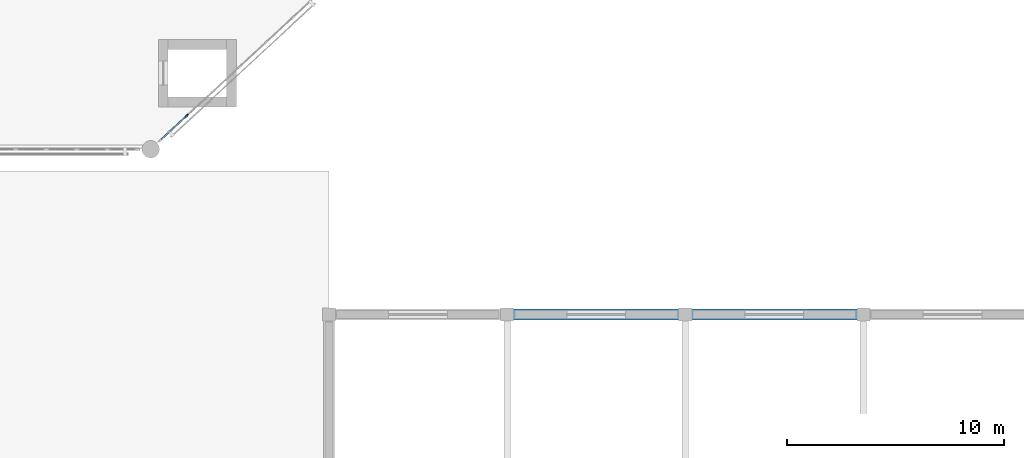
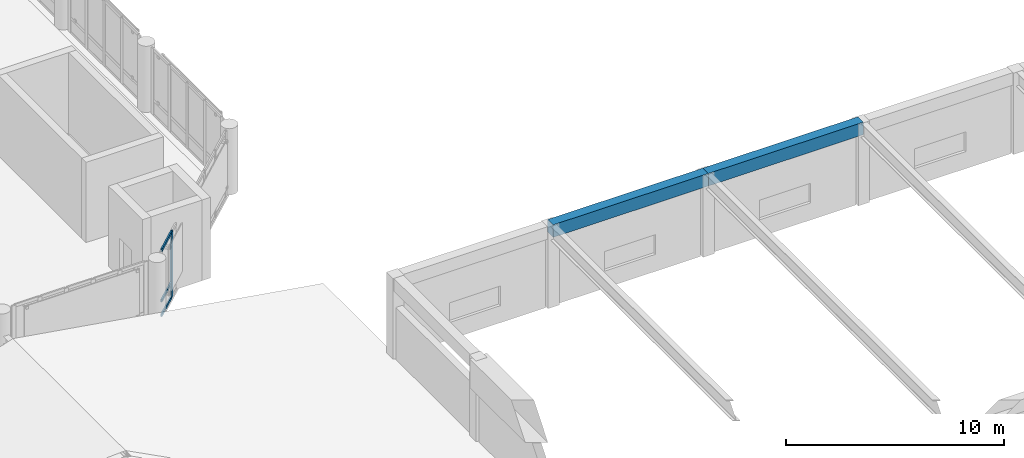
# One storey, part 4 of 49: 4 members, 2 beams, 1 element without a shape of its own.
"""IFC4 building model written with IfcOpenShell, lengths in metres."""

import ifcopenshell
import ifcopenshell.guid

model = None  # the IFC model being written
_history = None  # IfcOwnerHistory: only IFC2X3 demands one
_inside = {}  # id of a spatial element -> (the spatial element, [elements in it])
_under = {}  # id of a project, library or spatial element -> (it, [spatial elements below it])
_declared = {}  # id of a project -> (the project, [libraries it declares])
_typed = {}  # id of a type object -> (the type object, [elements of that type])
_made_of = {}  # id of a material, layer set ... -> (it, [elements and type objects made of it])


def new_model(schema):
    """Start an empty IFC model of exactly this schema.

    Asked for "IFC4X3", IfcOpenShell would pick the latest addendum, in which some entities
    have other attributes; the version numbers below select the first issue.
    IFC2X3 requires an IfcOwnerHistory on every rooted entity: one is made here for all.
    """
    global model, _history
    if schema == "IFC4X3":
        model = ifcopenshell.file(schema_version=(4, 3, 0, 0))
    else:
        model = ifcopenshell.file(schema=schema)
    _inside.clear()
    _under.clear()
    _declared.clear()
    _typed.clear()
    _made_of.clear()
    _history = None
    if model.schema == "IFC2X3":
        org = make("IfcOrganization", Name="unknown")
        user = make(
            "IfcPersonAndOrganization",
            ThePerson=make("IfcPerson", FamilyName="unknown"),
            TheOrganization=org,
        )
        app = make(
            "IfcApplication",
            ApplicationDeveloper=org,
            Version="unknown",
            ApplicationFullName="unknown",
            ApplicationIdentifier="unknown",
        )
        _history = make(
            "IfcOwnerHistory",
            OwningUser=user,
            OwningApplication=app,
            ChangeAction="ADDED",
            CreationDate=0,
        )
    return model


def make(cls, **values):
    """One entity of the class cls with the attributes given. An attribute that is None is left unset."""
    return model.create_entity(
        cls, **{name: value for name, value in values.items() if value is not None}
    )


def rooted(cls, **values):
    """An entity with a GlobalId (a new one), such as an element, a storey or a relation."""
    return make(cls, GlobalId=ifcopenshell.guid.new(), OwnerHistory=_history, **values)


def si_unit(unit_type, name, prefix=None):
    """IfcSIUnit, for example si_unit("LENGTHUNIT", "METRE", prefix="MILLI")."""
    return make("IfcSIUnit", UnitType=unit_type, Prefix=prefix, Name=name)


def assignment(units):
    """IfcUnitAssignment: the units of a project."""
    return None if units is None else make("IfcUnitAssignment", Units=units)


def point(xyz):
    """IfcCartesianPoint."""
    return None if xyz is None else make("IfcCartesianPoint", Coordinates=xyz)


def direction(xyz):
    """IfcDirection."""
    return None if xyz is None else make("IfcDirection", DirectionRatios=xyz)


def frame(location, z_axis=None, x_axis=None):
    """IfcAxis2Placement3D, a coordinate frame: its origin and axes. An axis left out is left unset."""
    return make(
        "IfcAxis2Placement3D",
        Location=point(location),
        Axis=direction(z_axis),
        RefDirection=direction(x_axis),
    )


def frame_2d(location, x_axis=None):
    """IfcAxis2Placement2D, a coordinate frame in the plane: its origin and x axis."""
    return make(
        "IfcAxis2Placement2D", Location=point(location), RefDirection=direction(x_axis)
    )


def origin():
    """The frame at (0, 0, 0) with its axes left unset."""
    return frame((0.0, 0.0, 0.0))


def origin_2d():
    """The frame at (0, 0) in the plane with its x axis left unset."""
    return frame_2d((0.0, 0.0))


def place(relative_to, where):
    """IfcLocalPlacement: puts the frame where relative to a parent placement (None: the world)."""
    return make(
        "IfcLocalPlacement", PlacementRelTo=relative_to, RelativePlacement=where
    )


def context(
    kind, dimensions, precision=None, world=None, true_north=None, identifier=None
):
    """IfcGeometricRepresentationContext, for example the 3D "Model" context."""
    return make(
        "IfcGeometricRepresentationContext",
        ContextIdentifier=identifier,
        ContextType=kind,
        CoordinateSpaceDimension=dimensions,
        Precision=precision,
        WorldCoordinateSystem=world,
        TrueNorth=true_north,
    )


def subcontext(parent, identifier, kind, view, scale=None):
    """IfcGeometricRepresentationSubContext, for example "Body" below "Model"."""
    return make(
        "IfcGeometricRepresentationSubContext",
        ContextIdentifier=identifier,
        ContextType=kind,
        ParentContext=parent,
        TargetScale=scale,
        TargetView=view,
    )


def project(units=None, contexts=None):
    """IfcProject with its units and contexts."""
    return rooted(
        "IfcProject",
        Name="project",
        RepresentationContexts=contexts,
        UnitsInContext=assignment(units),
    )


def spatial(cls, under=None, at=None, **own):
    """A site, building, storey or space (cls), placed at a placement, below another one or the project."""
    s = rooted(cls, ObjectPlacement=at, **own)
    if under is not None:
        _under.setdefault(under.id(), (under, []))[1].append(s)
    return s


def profile(cls, at=None, kind="AREA", **sizes):
    """A parametric profile (cls). Its sizes go by their IFC names, for example OverallWidth=200.0."""
    return make(cls, ProfileType=kind, Position=at, **sizes)


def rectangle(**sizes):
    """IfcRectangleProfileDef."""
    return profile("IfcRectangleProfileDef", **sizes)


def extrude(swept, where, along, depth):
    """IfcExtrudedAreaSolid: the profile swept, set in the frame where, extruded along a direction by depth."""
    return make(
        "IfcExtrudedAreaSolid",
        SweptArea=swept,
        Position=where,
        ExtrudedDirection=direction(along),
        Depth=depth,
    )


def shape(context_of_items, identifier, shape_type, items):
    """IfcShapeRepresentation: the items that make up one representation, for example the "Body"."""
    return make(
        "IfcShapeRepresentation",
        ContextOfItems=context_of_items,
        RepresentationIdentifier=identifier,
        RepresentationType=shape_type,
        Items=items,
    )


def material(Name=None, Category=None):
    """IfcMaterial."""
    return make("IfcMaterial", Name=Name, Category=Category)


def material_profile(
    of_material, cross_section, Name=None, Category=None, Priority=None
):
    """IfcMaterialProfile: a cross section and its material."""
    return make(
        "IfcMaterialProfile",
        Name=Name,
        Material=of_material,
        Profile=cross_section,
        Priority=Priority,
        Category=Category,
    )


def profile_set(profiles, Name=None, composite=None):
    """IfcMaterialProfileSet."""
    return make(
        "IfcMaterialProfileSet",
        Name=Name,
        MaterialProfiles=profiles,
        CompositeProfile=composite,
    )


def made_of(thing, what):
    """Note that an element or type object is made of a material, layer set ...; save() writes the relation."""
    if what is not None:
        _made_of.setdefault(what.id(), (what, []))[1].append(thing)
    return thing


def type_object(cls, material=None, **own):
    """A type object (cls), such as IfcWallType, which elements share."""
    return made_of(rooted(cls, **own), material)


def element(
    cls,
    number,
    at=None,
    inside=None,
    cuts=None,
    type_object=None,
    material=None,
    context=None,
    identifier="Body",
    shape_type=None,
    held_by="IfcProductDefinitionShape",
    body=None,
    shapes=None,
    **own,
):
    """One element of the class cls, such as IfcWall. Its Tag is "e" and its number.

    at: its placement. inside: the storey or other place that contains it. cuts: it is an
    opening in that element (IfcRelVoidsElement). A single representation is given by context,
    identifier, shape_type and body (its items); several are given by shapes. held_by: the class
    of the entity that holds the representations. save() writes the other relations.
    """
    e = rooted(cls, Tag="e%d" % number, ObjectPlacement=at, **own)
    if body is not None:
        shapes = [shape(context, identifier, shape_type, body)]
    if shapes is not None:
        e.Representation = make(held_by, Representations=shapes)
    if inside is not None:
        _inside.setdefault(inside.id(), (inside, []))[1].append(e)
    if cuts is not None:
        rooted(
            "IfcRelVoidsElement", RelatingBuildingElement=cuts, RelatedOpeningElement=e
        )
    if type_object is not None:
        _typed.setdefault(type_object.id(), (type_object, []))[1].append(e)
    return made_of(e, material)


def aggregate(whole, parts):
    """IfcRelAggregates: a whole, such as a stair, and the parts it consists of."""
    return rooted("IfcRelAggregates", RelatingObject=whole, RelatedObjects=parts)


def save(model, path):
    """Write the relations noted so far, then the file.

    IfcRelAggregates (storeys below a building ...), IfcRelContainedInSpatialStructure (elements
    in a storey), IfcRelDefinesByType, IfcRelAssociatesMaterial and IfcRelDeclares: one each for
    every whole, place, type object, material and project.
    """
    for whole, parts in _under.values():
        aggregate(whole, parts)
    for where, things in _inside.values():
        rooted(
            "IfcRelContainedInSpatialStructure",
            RelatedElements=things,
            RelatingStructure=where,
        )
    for kind, things in _typed.values():
        rooted("IfcRelDefinesByType", RelatedObjects=things, RelatingType=kind)
    for what, things in _made_of.values():
        rooted("IfcRelAssociatesMaterial", RelatedObjects=things, RelatingMaterial=what)
    for by, libraries in _declared.values():
        rooted("IfcRelDeclares", RelatingContext=by, RelatedDefinitions=libraries)
    model.write(path)


model = new_model("IFC4")

# Units and contexts
model_context = context("Model", 3, precision=1e-05, world=origin(), true_north=direction((0.0, 1.0)))
body_context = subcontext(model_context, "Body", "Model", "MODEL_VIEW")
ifc_project = project(units=[si_unit("LENGTHUNIT", "METRE"), si_unit("AREAUNIT", "SQUARE_METRE"), si_unit("VOLUMEUNIT", "CUBIC_METRE"), si_unit("PLANEANGLEUNIT", "RADIAN"), si_unit("MASSUNIT", "GRAM", prefix="KILO")], contexts=[model_context])

# Site, building, storey
site_placement = place(None, origin())
site = spatial("IfcSite", under=ifc_project, at=site_placement, CompositionType="ELEMENT")
building_placement = place(site_placement, origin())
building = spatial("IfcBuilding", under=site, at=building_placement, Name="Qandaris Square Conservatory and Botanical Centre", CompositionType="ELEMENT")
storey_placement = place(building_placement, frame((0.0, 0.0, 10.199951171875)))
storey = spatial("IfcBuildingStorey", under=building, at=storey_placement, Name="L02", CompositionType="ELEMENT", Elevation=10.199951171875)

# Curtain wall, members
ifc_material_1 = material(Name="Anodised Aluminium", Category="aluminium")
curtain_wall_type = type_object("IfcCurtainWallType", Name="Unitised Curtain Wall CW-2-1002x370", PredefinedType="USERDEFINED", material=ifc_material_1)
curtain_wall_placement = place(storey_placement, origin())
curtain_wall = element("IfcCurtainWall", 1, at=curtain_wall_placement, inside=storey, type_object=curtain_wall_type, Name="Curtain Wall CW-CON-L02-2-1", ObjectType="GLAZED CURTAIN WALL", PredefinedType="USERDEFINED")
ifc_material_profile_1 = material_profile(ifc_material_1, rectangle(XDim=0.074951171875, YDim=0.219970703125, at=origin_2d()), Name="ALU-MUL 75x220")
ifc_profile_set_1 = profile_set([ifc_material_profile_1], Name="Anodised Aluminium")
member_type_1 = type_object("IfcMemberType", Name="Conservatory Heavy Mullion 75x220", PredefinedType="MULLION", material=ifc_profile_set_1)
member_1_placement = place(storey_placement, frame((50.650146484375, 48.529541015625, 0.0), z_axis=(0.0, 0.0, 1.0), x_axis=(-0.679761784592, 0.733432966404, 0.0)))
member_1 = element("IfcMember", 2, at=member_1_placement, type_object=member_type_1, Name="CW-2-1002x370 mullion 2", PredefinedType="MULLION", context=body_context, shape_type="SweptSolid", body=[
    extrude(rectangle(XDim=0.074951171875, YDim=0.219970703125, at=origin_2d()), origin(), (0.0, 0.0, 1.0), 3.699951171875),
])
ifc_material_profile_2 = material_profile(ifc_material_1, rectangle(XDim=0.074951171875, YDim=0.159912109375, at=origin_2d()), Name="ALU-TRN 75x160")
ifc_profile_set_2 = profile_set([ifc_material_profile_2], Name="Anodised Aluminium")
member_type_2 = type_object("IfcMemberType", Name="Conservatory Heavy Transom 75x160", PredefinedType="USERDEFINED", material=ifc_profile_set_2)
member_2_placement = place(storey_placement, frame((49.48046875, 47.4453125, 0.03759765625), z_axis=(0.733401706001, 0.679795511632, 0.0), x_axis=(-0.679795511632, 0.733401706001, 0.0)))
member_2 = element("IfcMember", 3, at=member_2_placement, type_object=member_type_2, Name="CW-2-1002x370 transom 1.1", ObjectType="TRANSOM", PredefinedType="USERDEFINED", context=body_context, shape_type="SweptSolid", body=[
    extrude(rectangle(XDim=0.074951171875, YDim=0.159912109375, at=origin_2d()), origin(), (0.0, 0.0, 1.0), 1.5576171875),
])
member_3_placement = place(storey_placement, frame((49.48046875, 47.4453125, 0.85009765625), z_axis=(0.733401706001, 0.679795511632, 0.0), x_axis=(-0.679795511632, 0.733401706001, 0.0)))
member_3 = element("IfcMember", 4, at=member_3_placement, type_object=member_type_2, Name="CW-2-1002x370 transom 1.2", ObjectType="TRANSOM", PredefinedType="USERDEFINED", context=body_context, shape_type="SweptSolid", body=[
    extrude(rectangle(XDim=0.074951171875, YDim=0.159912109375, at=origin_2d()), origin(), (0.0, 0.0, 1.0), 1.5576171875),
])
member_4_placement = place(storey_placement, frame((49.48046875, 47.4453125, 3.66259765625), z_axis=(0.733401706001, 0.679795511632, 0.0), x_axis=(-0.679795511632, 0.733401706001, 0.0)))
member_4 = element("IfcMember", 5, at=member_4_placement, type_object=member_type_2, Name="CW-2-1002x370 transom 1.3", ObjectType="TRANSOM", PredefinedType="USERDEFINED", context=body_context, shape_type="SweptSolid", body=[
    extrude(rectangle(XDim=0.074951171875, YDim=0.159912109375, at=origin_2d()), origin(), (0.0, 0.0, 1.0), 1.5576171875),
])
aggregate(curtain_wall, [member_1, member_2, member_3, member_4])

# Beams
ifc_material_2 = material(Name="Concrete C50/60", Category="concrete")
ifc_material_profile_3 = material_profile(ifc_material_2, rectangle(XDim=0.5, YDim=0.699951171875, at=origin_2d()), Name="RC-BM 500x700")
ifc_profile_set_3 = profile_set([ifc_material_profile_3], Name="Concrete C50/60")
beam_type = type_object("IfcBeamType", Name="RC Floor Girder 500x700", PredefinedType="BEAM", material=ifc_profile_set_3)
beam_1_placement = place(storey_placement, frame((65.39990234375, 39.39990234375, 4.195068359375), z_axis=(1.0, 0.0, 0.0), x_axis=(0.0, 1.0, 0.0)))
element("IfcBeam", 6, at=beam_1_placement, inside=storey, type_object=beam_type, Name="L02 Frame Beam 1318", PredefinedType="BEAM", context=body_context, shape_type="SweptSolid", body=[
    extrude(rectangle(XDim=0.5, YDim=0.699951171875, at=origin_2d()), origin(), (0.0, 0.0, 1.0), 8.2001953125),
])
beam_2_placement = place(storey_placement, frame((73.60009765625, 39.39990234375, 4.195068359375), z_axis=(1.0, 0.0, 0.0), x_axis=(0.0, 1.0, 0.0)))
element("IfcBeam", 7, at=beam_2_placement, inside=storey, type_object=beam_type, Name="L02 Frame Beam 1319", PredefinedType="BEAM", context=body_context, shape_type="SweptSolid", body=[
    extrude(rectangle(XDim=0.5, YDim=0.699951171875, at=origin_2d()), origin(), (0.0, 0.0, 1.0), 8.199951171875),
])

save(model, "model.ifc")
